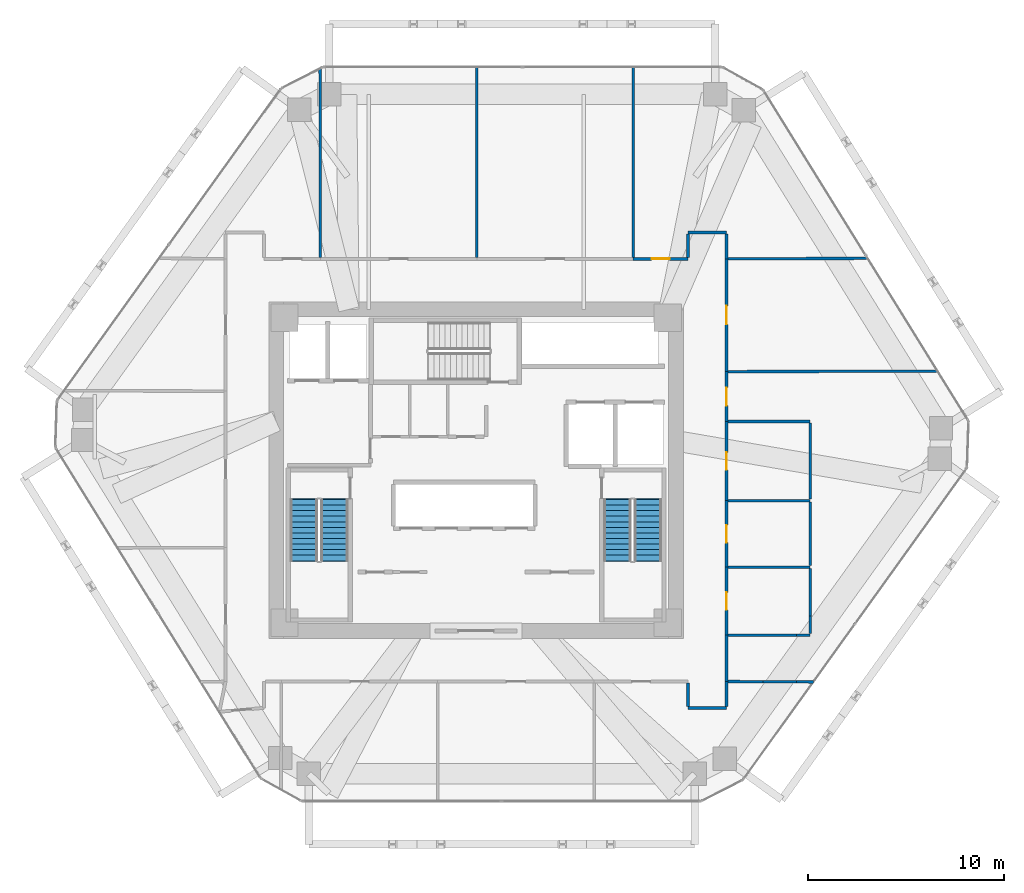
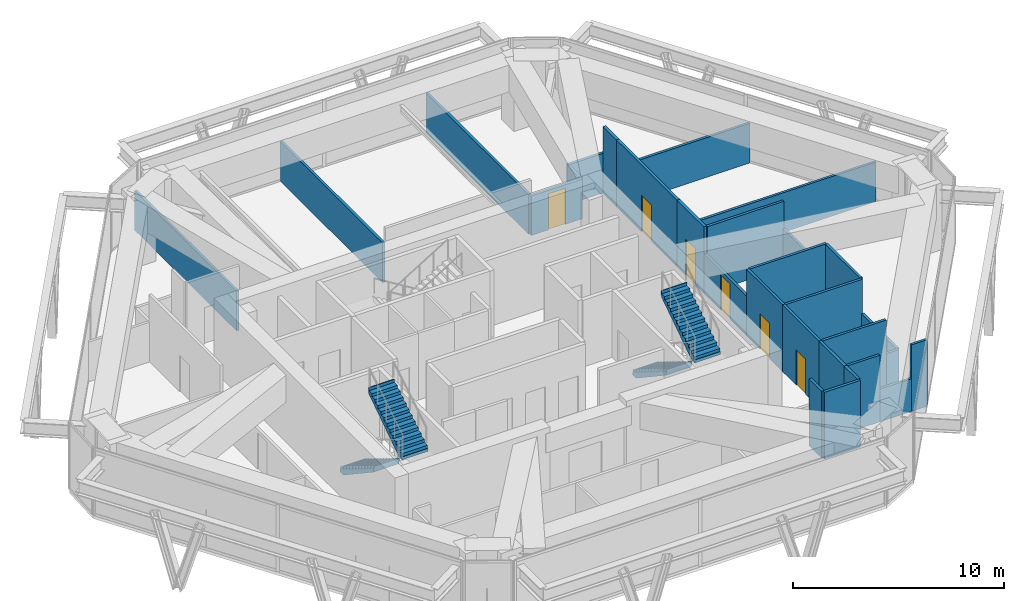
# One storey, part 12 of 14: 30 walls, 6 doors, 4 stair flights, 6 openings, 2 elements without a shape of their own.
"""IFC4 building model written with IfcOpenShell, lengths in metres."""

from ifc_helpers import new_model, si_unit, direction, frame, frame_2d, origin, place, context, subcontext, project, spatial, polyline, rectangle, outline, extrude, source, transform, mapped, material, layer, layer_set, type_object, type_shapes, element, fill, aggregate, save


model = new_model("IFC4")

# Units and contexts
model_context = context("Model", 3, precision=1e-05, world=origin(), true_north=direction((0.0, 1.0)))
body_context = subcontext(model_context, "Body", "Model", "MODEL_VIEW")
ifc_project = project(units=[si_unit("LENGTHUNIT", "METRE"), si_unit("AREAUNIT", "SQUARE_METRE"), si_unit("VOLUMEUNIT", "CUBIC_METRE"), si_unit("PLANEANGLEUNIT", "RADIAN"), si_unit("MASSUNIT", "GRAM", prefix="KILO")], contexts=[model_context])

# Site, building, storey
site_placement = place(None, origin())
site = spatial("IfcSite", under=ifc_project, at=site_placement, CompositionType="ELEMENT")
building_placement = place(site_placement, origin())
building = spatial("IfcBuilding", under=site, at=building_placement, Name="Durnholm Broadcast Tower", CompositionType="ELEMENT")
storey_placement = place(building_placement, frame((0.0, 0.0, 146.10009765625)))
storey = spatial("IfcBuildingStorey", under=building, at=storey_placement, Name="L40", CompositionType="ELEMENT", Elevation=146.10009765625)

# Walls
ifc_material_1 = material(Name="Gypsum Metal Stud Partition", Category="concrete")
ifc_layer_1 = layer(ifc_material_1, 0.135009765625)
ifc_layer_set_1 = layer_set([ifc_layer_1], Name="Gypsum Metal Stud Partition")
wall_type_1 = type_object("IfcWallType", Name="WALL-PART-135", PredefinedType="PARTITIONING", material=ifc_layer_set_1)
wall_1_placement = place(storey_placement, frame((-7.978271484375, 20.542236328125, 0.0), z_axis=(0.0, 0.0, 1.0), x_axis=(0.001871519231, -0.999998248706, 0.0)))
element("IfcWall", 1, at=wall_1_placement, inside=storey, type_object=wall_type_1, Name="L40 room dividing partition 10.11", PredefinedType="PARTITIONING", context=body_context, shape_type="SweptSolid", body=[
    extrude(rectangle(XDim=9.6533203125, YDim=0.135009765625, at=frame_2d((4.82666015625, 0.0))), origin(), (0.0, 0.0, 1.0), 2.2998046875),
])
for number, where, z_axis, x_axis, name in (
    (2, (0.0400390625, 20.614990234375, 0.0), (0.0, 0.0, 1.0), (0.0, -1.0, 0.0), "L40 room dividing partition 11.12"),
    (3, (8.0400390625, 20.614990234375, 0.0), (0.0, 0.0, 1.0), (0.0, -1.0, 0.0), "L40 room dividing partition 12.13"),
):
    element("IfcWall", number, at=place(storey_placement, frame(where, z_axis=z_axis, x_axis=x_axis)), inside=storey, type_object=wall_type_1, Name=name, PredefinedType="PARTITIONING", context=body_context, shape_type="SweptSolid", body=[
        extrude(rectangle(XDim=9.72607421875, YDim=0.135009765625, at=frame_2d((4.863037109375, 0.0))), origin(), (0.0, 0.0, 1.0), 2.2998046875),
    ])
wall_2_placement = place(storey_placement, frame((20.03515625, 10.8310546875, 0.0), z_axis=(0.0, 0.0, 1.0), x_axis=(-0.999995783715, -0.002903885812, 0.0)))
element("IfcWall", 4, at=wall_2_placement, inside=storey, type_object=wall_type_1, Name="L40 room dividing partition 13.22", PredefinedType="PARTITIONING", context=body_context, shape_type="SweptSolid", body=[
    extrude(rectangle(XDim=7.146240234375, YDim=0.135009765625, at=frame_2d((3.5732421875, 0.0))), origin(), (0.0, 0.0, 1.0), 2.2998046875),
])
wall_3_placement = place(storey_placement, frame((12.888916015625, -10.810302734375, 0.0), z_axis=(0.0, 0.0, 1.0), x_axis=(0.999985737151, -0.005340926287, 0.0)))
element("IfcWall", 5, at=wall_3_placement, inside=storey, type_object=wall_type_1, Name="L40 room dividing partition 17.21", PredefinedType="PARTITIONING", context=body_context, shape_type="SweptSolid", body=[
    extrude(rectangle(XDim=1.78271484375, YDim=0.135009765625, at=frame_2d((0.891357421875, 0.0))), origin(), (0.0, 0.0, 1.0), 3.864990234375),
])
wall_4_placement = place(storey_placement, frame((16.388916015625, -10.828857421875, 0.0), z_axis=(0.0, 0.0, 1.0), x_axis=(0.999986910748, -0.005116476519, 0.0)))
element("IfcWall", 6, at=wall_4_placement, inside=storey, type_object=wall_type_1, Name="L40 room dividing partition 17.21", PredefinedType="PARTITIONING", context=body_context, shape_type="SweptSolid", body=[
    extrude(rectangle(XDim=0.85888671875, YDim=0.135009765625, at=frame_2d((0.429443359375, 0.0))), origin(), (0.0, 0.0, 1.0), 3.864990234375),
])
wall_5_placement = place(storey_placement, frame((14.671630859375, -10.81982421875, 0.0), z_axis=(0.0, 0.0, 1.0), x_axis=(0.99998616562, -0.005260092142, 0.0)))
element("IfcWall", 7, at=wall_5_placement, inside=storey, type_object=wall_type_1, Name="L40 room dividing partition 17.21", PredefinedType="PARTITIONING", context=body_context, shape_type="SweptSolid", body=[
    extrude(rectangle(XDim=1.71728515625, YDim=0.135009765625, at=frame_2d((0.858642578125, 0.0))), origin(), (0.0, 0.0, 1.0), 1.89990234375),
])
wall_6_placement = place(storey_placement, frame((12.888916015625, 5.040283203125, 0.0), z_axis=(0.0, 0.0, 1.0), x_axis=(0.999998128178, 0.00193484876, 0.0)))
element("IfcWall", 8, at=wall_6_placement, inside=storey, type_object=wall_type_1, Name="L40 room dividing partition 21.22", PredefinedType="PARTITIONING", context=body_context, shape_type="SweptSolid", body=[
    extrude(rectangle(XDim=10.725341796875, YDim=0.135009765625, at=frame_2d((5.36279296875, 0.0))), origin(), (0.0, 0.0, 1.0), 2.2998046875),
])

# Wall, opening, door
ifc_material_2 = material(Name="Acoustic Gypsum Stud Partition", Category="concrete")
ifc_layer_2 = layer(ifc_material_2, 0.14990234375)
ifc_layer_set_2 = layer_set([ifc_layer_2], Name="Acoustic Gypsum Stud Partition")
wall_type_2 = type_object("IfcWallType", Name="WALL-PART-150", PredefinedType="PARTITIONING", material=ifc_layer_set_2)
wall_7_placement = place(storey_placement, frame((10.840087890625, 10.81005859375, 0.0), z_axis=(0.0, 0.0, 1.0), x_axis=(-1.0, 0.0, 0.0)))
wall_7 = element("IfcWall", 9, at=wall_7_placement, inside=storey, type_object=wall_type_2, Name="L40 Open Plan Broadcast Workspace 5 corridor partition", PredefinedType="PARTITIONING", context=body_context, shape_type="SweptSolid", body=[
    extrude(rectangle(XDim=2.800048828125, YDim=0.14990234375, at=frame_2d((1.39990234375, 0.0))), origin(), (0.0, 0.0, 1.0), 2.2998046875),
])
opening_1_placement = place(wall_7_placement, frame((0.93994140625, 0.0, 0.0)))
opening_1 = element("IfcOpeningElement", 10, at=opening_1_placement, cuts=wall_7, Name="Opening DR-92R", PredefinedType="OPENING", context=body_context, shape_type="SweptSolid", body=[
    extrude(rectangle(XDim=0.919921875, YDim=2.10009765625, at=frame_2d((0.4599609375, 1.050048828125))), frame((0.0, 0.0849609375, 0.0), z_axis=(0.0, -1.0, 0.0), x_axis=(1.0, 0.0, 0.0)), (0.0, 0.0, 1.0), 0.169921875),
])
ifc_material_3 = material(Name="Oak Veneer Office Door", Category="wood")
ifc_layer_3 = layer(ifc_material_3, 0.050048828125)
ifc_layer_set_3 = layer_set([ifc_layer_3], Name="Oak Veneer Office Door")
door_type_1 = type_object("IfcDoorType", Name="DOOR-RM-920R", OperationType="NOTDEFINED", PredefinedType="DOOR", material=ifc_layer_set_3)
shared_shape_1 = source(origin(), body_context, "Body", "SweptSolid", [
    extrude(rectangle(XDim=0.919921875, YDim=2.10009765625, at=frame_2d((0.4599609375, 1.050048828125))), frame((0.0, 0.02490234375, 0.0), z_axis=(0.0, -1.0, 0.0), x_axis=(1.0, 0.0, 0.0)), (0.0, 0.0, 1.0), 0.050048828125),
])
type_shapes(door_type_1, [shared_shape_1])
door_1_placement = place(opening_1_placement, origin())
door_1 = element("IfcDoor", 11, at=door_1_placement, inside=storey, type_object=door_type_1, Name="L40 Open Plan Broadcast Workspace 5 entrance door", OperationType="SINGLE_SWING_RIGHT", OverallHeight=2.10009765625, OverallWidth=0.919921875, PredefinedType="DOOR", context=body_context, shape_type="MappedRepresentation", body=[
    mapped(shared_shape_1, transform((0.0, 0.0, 0.0), x_axis=(1.0, 0.0, 0.0), y_axis=(0.0, 1.0, 0.0), z_axis=(0.0, 0.0, 1.0), scale=1.0)),
])
fill(opening_1, door_1)

# Walls
wall_8_placement = place(storey_placement, frame((12.81005859375, 12.159912109375, 0.0), z_axis=(0.0, 0.0, 1.0), x_axis=(-1.0, 0.0, 0.0)))
element("IfcWall", 12, at=wall_8_placement, inside=storey, type_object=wall_type_2, Name="L40 Open Plan Broadcast Workspace 5 corridor partition", PredefinedType="PARTITIONING", context=body_context, shape_type="SweptSolid", body=[
    extrude(rectangle(XDim=1.969970703125, YDim=0.14990234375, at=frame_2d((0.98486328125, 0.0))), origin(), (0.0, 0.0, 1.0), 2.2998046875),
])
wall_9_placement = place(storey_placement, frame((12.81005859375, 10.81005859375, 0.0), z_axis=(0.0, 0.0, 1.0), x_axis=(0.0, 1.0, 0.0)))
element("IfcWall", 13, at=wall_9_placement, inside=storey, type_object=wall_type_2, Name="L40 Open Plan Broadcast Workspace 5 corridor partition", PredefinedType="PARTITIONING", context=body_context, shape_type="SweptSolid", body=[
    extrude(rectangle(XDim=1.27099609375, YDim=0.14990234375, at=frame_2d((0.635498046875, 0.0))), origin(), (0.0, 0.0, 1.0), 3.864990234375),
])
wall_10_placement = place(storey_placement, frame((10.840087890625, 12.0810546875, 0.0), z_axis=(0.0, 0.0, 1.0), x_axis=(0.0, -1.0, 0.0)))
element("IfcWall", 14, at=wall_10_placement, inside=storey, type_object=wall_type_2, Name="L40 Open Plan Broadcast Workspace 5 corridor partition", PredefinedType="PARTITIONING", context=body_context, shape_type="SweptSolid", body=[
    extrude(rectangle(XDim=1.192138671875, YDim=0.14990234375, at=frame_2d((0.59619140625, 0.0))), origin(), (0.0, 0.0, 1.0), 2.2998046875),
])
wall_11_placement = place(storey_placement, frame((10.840087890625, -12.159912109375, 0.0), z_axis=(0.0, 0.0, 1.0), x_axis=(1.0, 0.0, 0.0)))
element("IfcWall", 15, at=wall_11_placement, inside=storey, type_object=wall_type_2, Name="L40 Open Plan Broadcast Workspace 3 corridor partition", PredefinedType="PARTITIONING", context=body_context, shape_type="SweptSolid", body=[
    extrude(rectangle(XDim=1.969970703125, YDim=0.14990234375, at=frame_2d((0.98486328125, 0.0))), origin(), (0.0, 0.0, 1.0), 3.864990234375),
])
wall_12_placement = place(storey_placement, frame((10.840087890625, -10.888916015625, 0.0), z_axis=(0.0, 0.0, 1.0), x_axis=(0.0, -1.0, 0.0)))
element("IfcWall", 16, at=wall_12_placement, inside=storey, type_object=wall_type_2, Name="L40 Open Plan Broadcast Workspace 3 corridor partition", PredefinedType="PARTITIONING", context=body_context, shape_type="SweptSolid", body=[
    extrude(rectangle(XDim=1.192138671875, YDim=0.14990234375, at=frame_2d((0.59619140625, 0.0))), origin(), (0.0, 0.0, 1.0), 3.864990234375),
])
wall_13_placement = place(storey_placement, frame((12.81005859375, -12.0810546875, 0.0), z_axis=(0.0, 0.0, 1.0), x_axis=(0.0, 1.0, 0.0)))
element("IfcWall", 17, at=wall_13_placement, inside=storey, type_object=wall_type_2, Name="L40 Open Plan Broadcast Workspace 3 corridor partition", PredefinedType="PARTITIONING", context=body_context, shape_type="SweptSolid", body=[
    extrude(rectangle(XDim=1.27099609375, YDim=0.14990234375, at=frame_2d((0.635498046875, 0.0))), origin(), (0.0, 0.0, 1.0), 3.864990234375),
])

# Wall, opening, door
wall_14_placement = place(storey_placement, frame((12.81005859375, 2.489990234375, 0.0), z_axis=(0.0, 0.0, 1.0), x_axis=(0.0, 1.0, 0.0)))
wall_14 = element("IfcWall", 18, at=wall_14_placement, inside=storey, type_object=wall_type_2, Name="L40 Open Plan Broadcast Workspace 1 corridor partition", PredefinedType="PARTITIONING", context=body_context, shape_type="SweptSolid", body=[
    extrude(rectangle(XDim=2.550048828125, YDim=0.14990234375, at=frame_2d((1.27490234375, 0.0))), origin(), (0.0, 0.0, 1.0), 3.864990234375),
])
opening_2_placement = place(wall_14_placement, frame((0.81494140625, 0.0, 0.0)))
opening_2 = element("IfcOpeningElement", 19, at=opening_2_placement, cuts=wall_14, Name="Opening DR-92R", PredefinedType="OPENING", context=body_context, shape_type="SweptSolid", body=[
    extrude(rectangle(XDim=0.919921875, YDim=2.10009765625, at=frame_2d((0.4599609375, 1.050048828125))), frame((0.0, 0.0849609375, 0.0), z_axis=(0.0, -1.0, 0.0), x_axis=(1.0, 0.0, 0.0)), (0.0, 0.0, 1.0), 0.169921875),
])
door_2_placement = place(opening_2_placement, origin())
door_2 = element("IfcDoor", 20, at=door_2_placement, inside=storey, type_object=door_type_1, Name="L40 Open Plan Broadcast Workspace 1 entrance door", OperationType="SINGLE_SWING_RIGHT", OverallHeight=2.10009765625, OverallWidth=0.919921875, PredefinedType="DOOR", context=body_context, shape_type="MappedRepresentation", body=[
    mapped(shared_shape_1, transform((0.0, 0.0, 0.0), x_axis=(1.0, 0.0, 0.0), y_axis=(0.0, 1.0, 0.0), z_axis=(0.0, 0.0, 1.0), scale=1.0)),
])
fill(opening_2, door_2)

# Wall
wall_15_placement = place(storey_placement, frame((12.81005859375, -10.81005859375, 0.0), z_axis=(0.0, 0.0, 1.0), x_axis=(0.0, 1.0, 0.0)))
element("IfcWall", 21, at=wall_15_placement, inside=storey, type_object=wall_type_2, Name="L40 Open Plan Broadcast Workspace 1 corridor partition", PredefinedType="PARTITIONING", context=body_context, shape_type="SweptSolid", body=[
    extrude(rectangle(XDim=2.3701171875, YDim=0.14990234375, at=frame_2d((1.18505859375, 0.0))), origin(), (0.0, 0.0, 1.0), 3.864990234375),
])

# Wall, opening, door
wall_16_placement = place(storey_placement, frame((12.81005859375, 5.0400390625, 0.0), z_axis=(0.0, 0.0, 1.0), x_axis=(0.0, 1.0, 0.0)))
wall_16 = element("IfcWall", 22, at=wall_16_placement, inside=storey, type_object=wall_type_2, Name="L40 IP Counsel Office corridor partition", PredefinedType="PARTITIONING", context=body_context, shape_type="SweptSolid", body=[
    extrude(rectangle(XDim=5.77001953125, YDim=0.14990234375, at=frame_2d((2.885009765625, 0.0))), origin(), (0.0, 0.0, 1.0), 3.864990234375),
])
opening_3_placement = place(wall_16_placement, frame((2.409912109375, 0.0, 0.0)))
opening_3 = element("IfcOpeningElement", 23, at=opening_3_placement, cuts=wall_16, Name="Opening DR-95L", PredefinedType="OPENING", context=body_context, shape_type="SweptSolid", body=[
    extrude(rectangle(XDim=0.949951171875, YDim=2.10009765625, at=frame_2d((0.47509765625, 1.050048828125))), frame((0.0, 0.0849609375, 0.0), z_axis=(0.0, -1.0, 0.0), x_axis=(1.0, 0.0, 0.0)), (0.0, 0.0, 1.0), 0.169921875),
])
ifc_material_4 = material(Name="Acoustic Oak Veneer Timber Door", Category="wood")
ifc_layer_4 = layer(ifc_material_4, 0.050048828125)
ifc_layer_set_4 = layer_set([ifc_layer_4], Name="Acoustic Oak Veneer Timber Door")
door_type_2 = type_object("IfcDoorType", Name="DOOR-RM-950L", OperationType="NOTDEFINED", PredefinedType="DOOR", material=ifc_layer_set_4)
shared_shape_2 = source(origin(), body_context, "Body", "SweptSolid", [
    extrude(rectangle(XDim=0.949951171875, YDim=2.10009765625, at=frame_2d((0.47509765625, 1.050048828125))), frame((0.0, 0.02490234375, 0.0), z_axis=(0.0, -1.0, 0.0), x_axis=(1.0, 0.0, 0.0)), (0.0, 0.0, 1.0), 0.050048828125),
])
type_shapes(door_type_2, [shared_shape_2])
door_3_placement = place(opening_3_placement, origin())
door_3 = element("IfcDoor", 24, at=door_3_placement, inside=storey, type_object=door_type_2, Name="L40 IP Counsel Office entrance door", OperationType="SINGLE_SWING_LEFT", OverallHeight=2.10009765625, OverallWidth=0.949951171875, PredefinedType="DOOR", context=body_context, shape_type="MappedRepresentation", body=[
    mapped(shared_shape_2, transform((0.0, 0.0, 0.0), x_axis=(1.0, 0.0, 0.0), y_axis=(0.0, 1.0, 0.0), z_axis=(0.0, 0.0, 1.0), scale=1.0)),
])
fill(opening_3, door_3)

ifc_material_5 = material(Name="Moisture-Resistant Tile Partition", Category="concrete")
ifc_layer_5 = layer(ifc_material_5, 0.139892578125)
ifc_layer_set_5 = layer_set([ifc_layer_5], Name="Moisture-Resistant Tile Partition")
wall_type_3 = type_object("IfcWallType", Name="WALL-WC-140", PredefinedType="PARTITIONING", material=ifc_layer_set_5)
wall_17_placement = place(storey_placement, frame((12.81005859375, -8.43994140625, 0.0), z_axis=(0.0, 0.0, 1.0), x_axis=(0.0, 1.0, 0.0)))
wall_17 = element("IfcWall", 25, at=wall_17_placement, inside=storey, type_object=wall_type_3, Name="L40 Men's Restroom corridor partition", PredefinedType="PARTITIONING", context=body_context, shape_type="SweptSolid", body=[
    extrude(rectangle(XDim=3.47998046875, YDim=0.139892578125, at=frame_2d((1.739990234375, 0.0))), origin(), (0.0, 0.0, 1.0), 3.864990234375),
])
opening_4_placement = place(wall_17_placement, frame((1.2900390625, 0.0, 0.0)))
opening_4 = element("IfcOpeningElement", 26, at=opening_4_placement, cuts=wall_17, Name="Opening DW-90R", PredefinedType="OPENING", context=body_context, shape_type="SweptSolid", body=[
    extrude(rectangle(XDim=0.89990234375, YDim=2.050048828125, at=frame_2d((0.449951171875, 1.02490234375))), frame((0.0, 0.080078125, 0.0), z_axis=(0.0, -1.0, 0.0), x_axis=(1.0, 0.0, 0.0)), (0.0, 0.0, 1.0), 0.159912109375),
])
ifc_material_6 = material(Name="Laminate Restroom Door", Category="steel")
ifc_layer_6 = layer(ifc_material_6, 0.050048828125)
ifc_layer_set_6 = layer_set([ifc_layer_6], Name="Laminate Restroom Door")
door_type_3 = type_object("IfcDoorType", Name="DOOR-WC-900R", OperationType="NOTDEFINED", PredefinedType="DOOR", material=ifc_layer_set_6)
shared_shape_3 = source(origin(), body_context, "Body", "SweptSolid", [
    extrude(rectangle(XDim=0.89990234375, YDim=2.050048828125, at=frame_2d((0.449951171875, 1.02490234375))), frame((0.0, 0.02490234375, 0.0), z_axis=(0.0, -1.0, 0.0), x_axis=(1.0, 0.0, 0.0)), (0.0, 0.0, 1.0), 0.050048828125),
])
type_shapes(door_type_3, [shared_shape_3])
door_4_placement = place(opening_4_placement, origin())
door_4 = element("IfcDoor", 27, at=door_4_placement, inside=storey, type_object=door_type_3, Name="L40 Men's Restroom entrance door", OperationType="SINGLE_SWING_RIGHT", OverallHeight=2.050048828125, OverallWidth=0.89990234375, PredefinedType="DOOR", context=body_context, shape_type="MappedRepresentation", body=[
    mapped(shared_shape_3, transform((0.0, 0.0, 0.0), x_axis=(1.0, 0.0, 0.0), y_axis=(0.0, 1.0, 0.0), z_axis=(0.0, 0.0, 1.0), scale=1.0)),
])
fill(opening_4, door_4)

wall_18_placement = place(storey_placement, frame((12.81005859375, -4.9599609375, 0.0), z_axis=(0.0, 0.0, 1.0), x_axis=(0.0, 1.0, 0.0)))
wall_18 = element("IfcWall", 28, at=wall_18_placement, inside=storey, type_object=wall_type_3, Name="L40 Women's Restroom corridor partition", PredefinedType="PARTITIONING", context=body_context, shape_type="SweptSolid", body=[
    extrude(rectangle(XDim=3.39990234375, YDim=0.139892578125, at=frame_2d((1.699951171875, 0.0))), origin(), (0.0, 0.0, 1.0), 3.864990234375),
])
opening_5_placement = place(wall_18_placement, frame((1.25, 0.0, 0.0)))
opening_5 = element("IfcOpeningElement", 29, at=opening_5_placement, cuts=wall_18, Name="Opening DW-90L", PredefinedType="OPENING", context=body_context, shape_type="SweptSolid", body=[
    extrude(rectangle(XDim=0.89990234375, YDim=2.050048828125, at=frame_2d((0.449951171875, 1.02490234375))), frame((0.0, 0.080078125, 0.0), z_axis=(0.0, -1.0, 0.0), x_axis=(1.0, 0.0, 0.0)), (0.0, 0.0, 1.0), 0.159912109375),
])
ifc_layer_7 = layer(ifc_material_6, 0.050048828125)
ifc_layer_set_7 = layer_set([ifc_layer_7], Name="Laminate Restroom Door")
door_type_4 = type_object("IfcDoorType", Name="DOOR-WC-900L", OperationType="NOTDEFINED", PredefinedType="DOOR", material=ifc_layer_set_7)
shared_shape_4 = source(origin(), body_context, "Body", "SweptSolid", [
    extrude(rectangle(XDim=0.89990234375, YDim=2.050048828125, at=frame_2d((0.449951171875, 1.02490234375))), frame((0.0, 0.02490234375, 0.0), z_axis=(0.0, -1.0, 0.0), x_axis=(1.0, 0.0, 0.0)), (0.0, 0.0, 1.0), 0.050048828125),
])
type_shapes(door_type_4, [shared_shape_4])
door_5_placement = place(opening_5_placement, origin())
door_5 = element("IfcDoor", 30, at=door_5_placement, inside=storey, type_object=door_type_4, Name="L40 Women's Restroom entrance door", OperationType="SINGLE_SWING_LEFT", OverallHeight=2.050048828125, OverallWidth=0.89990234375, PredefinedType="DOOR", context=body_context, shape_type="MappedRepresentation", body=[
    mapped(shared_shape_4, transform((0.0, 0.0, 0.0), x_axis=(1.0, 0.0, 0.0), y_axis=(0.0, 1.0, 0.0), z_axis=(0.0, 0.0, 1.0), scale=1.0)),
])
fill(opening_5, door_5)

wall_19_placement = place(storey_placement, frame((12.81005859375, -1.56005859375, 0.0), z_axis=(0.0, 0.0, 1.0), x_axis=(0.0, 1.0, 0.0)))
wall_19 = element("IfcWall", 31, at=wall_19_placement, inside=storey, type_object=wall_type_3, Name="L40 Accessible Restroom corridor partition", PredefinedType="PARTITIONING", context=body_context, shape_type="SweptSolid", body=[
    extrude(rectangle(XDim=4.050048828125, YDim=0.139892578125, at=frame_2d((2.02490234375, 0.0))), origin(), (0.0, 0.0, 1.0), 2.2998046875),
])
opening_6_placement = place(wall_19_placement, frame((1.574951171875, 0.0, 0.0)))
opening_6 = element("IfcOpeningElement", 32, at=opening_6_placement, cuts=wall_19, Name="Opening DW-90R", PredefinedType="OPENING", context=body_context, shape_type="SweptSolid", body=[
    extrude(rectangle(XDim=0.89990234375, YDim=2.050048828125, at=frame_2d((0.449951171875, 1.02490234375))), frame((0.0, 0.080078125, 0.0), z_axis=(0.0, -1.0, 0.0), x_axis=(1.0, 0.0, 0.0)), (0.0, 0.0, 1.0), 0.159912109375),
])
door_6_placement = place(opening_6_placement, origin())
door_6 = element("IfcDoor", 33, at=door_6_placement, inside=storey, type_object=door_type_3, Name="L40 Accessible Restroom entrance door", OperationType="SINGLE_SWING_RIGHT", OverallHeight=2.050048828125, OverallWidth=0.89990234375, PredefinedType="DOOR", context=body_context, shape_type="MappedRepresentation", body=[
    mapped(shared_shape_3, transform((0.0, 0.0, 0.0), x_axis=(1.0, 0.0, 0.0), y_axis=(0.0, 1.0, 0.0), z_axis=(0.0, 0.0, 1.0), scale=1.0)),
])
fill(opening_6, door_6)

# Walls
wall_20_placement = place(storey_placement, frame((12.884033203125, -4.9599609375, 0.0), z_axis=(0.0, 0.0, 1.0), x_axis=(1.0, 0.0, 0.0)))
element("IfcWall", 34, at=wall_20_placement, inside=storey, type_object=wall_type_3, Name="L40 room dividing partition 7.8", PredefinedType="PARTITIONING", context=body_context, shape_type="SweptSolid", body=[
    extrude(rectangle(XDim=4.2060546875, YDim=0.139892578125, at=frame_2d((2.10302734375, 0.0))), origin(), (0.0, 0.0, 1.0), 3.864990234375),
])
wall_21_placement = place(storey_placement, frame((16.38134765625, -8.43994140625, 0.0), z_axis=(0.0, 0.0, 1.0), x_axis=(-1.0, 0.0, 0.0)))
element("IfcWall", 35, at=wall_21_placement, inside=storey, type_object=wall_type_3, Name="L40 room dividing partition 7.21", PredefinedType="PARTITIONING", context=body_context, shape_type="SweptSolid", body=[
    extrude(rectangle(XDim=3.492431640625, YDim=0.139892578125, at=frame_2d((1.74609375, 0.0))), origin(), (0.0, 0.0, 1.0), 3.864990234375),
])
wall_22_placement = place(storey_placement, frame((17.090087890625, -8.43994140625, 0.0), z_axis=(0.0, 0.0, 1.0), x_axis=(-1.0, 0.0, 0.0)))
element("IfcWall", 36, at=wall_22_placement, inside=storey, type_object=wall_type_3, Name="L40 room dividing partition 7.21", PredefinedType="PARTITIONING", context=body_context, shape_type="SweptSolid", body=[
    extrude(rectangle(XDim=0.708740234375, YDim=0.139892578125, at=frame_2d((0.3544921875, 0.0))), origin(), (0.0, 0.0, 1.0), 1.89990234375),
])
wall_23_placement = place(storey_placement, frame((17.090087890625, -5.033935546875, 0.0), z_axis=(0.0, 0.0, 1.0), x_axis=(0.0, -1.0, 0.0)))
element("IfcWall", 37, at=wall_23_placement, inside=storey, type_object=wall_type_3, Name="L40 room dividing partition 7.21", PredefinedType="PARTITIONING", context=body_context, shape_type="SweptSolid", body=[
    extrude(rectangle(XDim=2.419677734375, YDim=0.139892578125, at=frame_2d((1.2099609375, 0.0))), origin(), (0.0, 0.0, 1.0), 1.89990234375),
])
wall_24_placement = place(storey_placement, frame((17.090087890625, -7.45361328125, 0.0), z_axis=(0.0, 0.0, 1.0), x_axis=(0.0, -1.0, 0.0)))
element("IfcWall", 38, at=wall_24_placement, inside=storey, type_object=wall_type_3, Name="L40 room dividing partition 7.21", PredefinedType="PARTITIONING", context=body_context, shape_type="SweptSolid", body=[
    extrude(rectangle(XDim=0.912353515625, YDim=0.139892578125, at=frame_2d((0.4560546875, 0.0))), origin(), (0.0, 0.0, 1.0), 1.89990234375),
])
wall_25_placement = place(storey_placement, frame((12.884033203125, -1.56005859375, 0.0), z_axis=(0.0, 0.0, 1.0), x_axis=(1.0, 0.0, 0.0)))
element("IfcWall", 39, at=wall_25_placement, inside=storey, type_object=wall_type_3, Name="L40 room dividing partition 8.9", PredefinedType="PARTITIONING", context=body_context, shape_type="SweptSolid", body=[
    extrude(rectangle(XDim=4.2060546875, YDim=0.139892578125, at=frame_2d((2.10302734375, 0.0))), origin(), (0.0, 0.0, 1.0), 3.864990234375),
])
wall_26_placement = place(storey_placement, frame((17.090087890625, -1.634033203125, 0.0), z_axis=(0.0, 0.0, 1.0), x_axis=(0.0, -1.0, 0.0)))
element("IfcWall", 40, at=wall_26_placement, inside=storey, type_object=wall_type_3, Name="L40 room dividing partition 8.21", PredefinedType="PARTITIONING", context=body_context, shape_type="SweptSolid", body=[
    extrude(rectangle(XDim=3.251953125, YDim=0.139892578125, at=frame_2d((1.6259765625, 0.0))), origin(), (0.0, 0.0, 1.0), 3.864990234375),
])
wall_27_placement = place(storey_placement, frame((12.888916015625, 2.489990234375, 0.0), z_axis=(0.0, 0.0, 1.0), x_axis=(1.0, 0.0, 0.0)))
element("IfcWall", 41, at=wall_27_placement, inside=storey, type_object=wall_type_3, Name="L40 room dividing partition 9.21", PredefinedType="PARTITIONING", context=body_context, shape_type="SweptSolid", body=[
    extrude(rectangle(XDim=4.201171875, YDim=0.139892578125, at=frame_2d((2.1005859375, 0.0))), origin(), (0.0, 0.0, 1.0), 3.864990234375),
])
wall_28_placement = place(storey_placement, frame((17.090087890625, 2.416015625, 0.0), z_axis=(0.0, 0.0, 1.0), x_axis=(0.0, -1.0, 0.0)))
element("IfcWall", 42, at=wall_28_placement, inside=storey, type_object=wall_type_3, Name="L40 room dividing partition 9.21", PredefinedType="PARTITIONING", context=body_context, shape_type="SweptSolid", body=[
    extrude(rectangle(XDim=3.902099609375, YDim=0.139892578125, at=frame_2d((1.951171875, 0.0))), origin(), (0.0, 0.0, 1.0), 2.2998046875),
])

# Stair, stair flights
ifc_material_7 = material(Name="Concrete C50/60", Category="concrete")
stair_type = type_object("IfcStairType", Name="STAIR-DL-24R1750", PredefinedType="HALF_TURN_STAIR", material=ifc_material_7)
stair_1_placement = place(storey_placement, origin())
stair_1 = element("IfcStair", 43, at=stair_1_placement, inside=storey, type_object=stair_type, Name="L40 ST-1", PredefinedType="HALF_TURN_STAIR")
stair_flight_type = type_object("IfcStairFlightType", Name="FLIGHT-DL-24R1750", PredefinedType="STRAIGHT", material=ifc_material_7)
stair_flight_1_placement = place(storey_placement, frame((-8.800048828125, -1.5, 0.0), z_axis=(0.0, 0.0, 1.0), x_axis=(0.0, -1.0, 0.0)))
stair_flight_1 = element("IfcStairFlight", 44, at=stair_flight_1_placement, type_object=stair_flight_type, Name="ST-1 flight 1", NumberOfRisers=12, NumberOfTreads=11, PredefinedType="STRAIGHT", RiserHeight=0.175, TreadLength=0.285, context=body_context, shape_type="SweptSolid", body=[
    extrude(outline(polyline([(-0.0400390625, -0.14990234375), (-0.0400390625, 0.0), (0.0, 0.0), (0.0, 0.175048828125), (0.284912109375, 0.175048828125), (0.284912109375, 0.35009765625), (0.570068359375, 0.35009765625), (0.570068359375, 0.52490234375), (0.85498046875, 0.52490234375), (0.85498046875, 0.699951171875), (1.139892578125, 0.699951171875), (1.139892578125, 0.875), (1.425048828125, 0.875), (1.425048828125, 1.050048828125), (1.7099609375, 1.050048828125), (1.7099609375, 1.22509765625), (1.9951171875, 1.22509765625), (1.9951171875, 1.39990234375), (2.280029296875, 1.39990234375), (2.280029296875, 1.574951171875), (2.56494140625, 1.574951171875), (2.56494140625, 1.75), (2.85009765625, 1.75), (2.85009765625, 1.925048828125), (3.135009765625, 1.925048828125), (3.135009765625, 2.10009765625), (3.175048828125, 2.10009765625), (3.175048828125, 1.9501953125), (3.135009765625, 1.7490234375), (0.286376953125, -0.14990234375), (-0.0400390625, -0.14990234375)])), frame((0.0, 0.699951171875, 0.0), z_axis=(0.0, -1.0, 0.0), x_axis=(1.0, 0.0, 0.0)), (0.0, 0.0, 1.0), 1.39990234375),
])
stair_flight_2_placement = place(storey_placement, frame((-7.239990234375, -4.635009765625, 2.099853515625), z_axis=(0.0, 0.0, 1.0), x_axis=(0.0, 1.0, 0.0)))
stair_flight_2 = element("IfcStairFlight", 45, at=stair_flight_2_placement, type_object=stair_flight_type, Name="ST-1 flight 2", NumberOfRisers=12, NumberOfTreads=11, PredefinedType="STRAIGHT", RiserHeight=0.175, TreadLength=0.285, context=body_context, shape_type="SweptSolid", body=[
    extrude(outline(polyline([(-0.0400390625, -0.14990234375), (-0.0400390625, 0.0), (0.0, 0.0), (0.0, 0.175048828125), (0.284912109375, 0.175048828125), (0.284912109375, 0.35009765625), (0.570068359375, 0.35009765625), (0.570068359375, 0.52490234375), (0.85498046875, 0.52490234375), (0.85498046875, 0.699951171875), (1.139892578125, 0.699951171875), (1.139892578125, 0.875), (1.425048828125, 0.875), (1.425048828125, 1.050048828125), (1.7099609375, 1.050048828125), (1.7099609375, 1.22509765625), (1.9951171875, 1.22509765625), (1.9951171875, 1.39990234375), (2.280029296875, 1.39990234375), (2.280029296875, 1.574951171875), (2.56494140625, 1.574951171875), (2.56494140625, 1.75), (2.85009765625, 1.75), (2.85009765625, 1.925048828125), (3.135009765625, 1.925048828125), (3.135009765625, 2.10009765625), (3.175048828125, 2.10009765625), (3.175048828125, 1.9501953125), (3.135009765625, 1.7490234375), (0.286376953125, -0.14990234375), (-0.0400390625, -0.14990234375)])), frame((0.0, 0.699951171875, 0.0), z_axis=(0.0, -1.0, 0.0), x_axis=(1.0, 0.0, 0.0)), (0.0, 0.0, 1.0), 1.39990234375),
])
aggregate(stair_1, [stair_flight_1, stair_flight_2])

stair_2_placement = place(storey_placement, origin())
stair_2 = element("IfcStair", 46, at=stair_2_placement, inside=storey, type_object=stair_type, Name="L40 ST-2", PredefinedType="HALF_TURN_STAIR")
stair_flight_3_placement = place(storey_placement, frame((7.239990234375, -1.5, 0.0), z_axis=(0.0, 0.0, 1.0), x_axis=(0.0, -1.0, 0.0)))
stair_flight_3 = element("IfcStairFlight", 47, at=stair_flight_3_placement, type_object=stair_flight_type, Name="ST-2 flight 1", NumberOfRisers=12, NumberOfTreads=11, PredefinedType="STRAIGHT", RiserHeight=0.175, TreadLength=0.285, context=body_context, shape_type="SweptSolid", body=[
    extrude(outline(polyline([(-0.0400390625, -0.14990234375), (-0.0400390625, 0.0), (0.0, 0.0), (0.0, 0.175048828125), (0.284912109375, 0.175048828125), (0.284912109375, 0.35009765625), (0.570068359375, 0.35009765625), (0.570068359375, 0.52490234375), (0.85498046875, 0.52490234375), (0.85498046875, 0.699951171875), (1.139892578125, 0.699951171875), (1.139892578125, 0.875), (1.425048828125, 0.875), (1.425048828125, 1.050048828125), (1.7099609375, 1.050048828125), (1.7099609375, 1.22509765625), (1.9951171875, 1.22509765625), (1.9951171875, 1.39990234375), (2.280029296875, 1.39990234375), (2.280029296875, 1.574951171875), (2.56494140625, 1.574951171875), (2.56494140625, 1.75), (2.85009765625, 1.75), (2.85009765625, 1.925048828125), (3.135009765625, 1.925048828125), (3.135009765625, 2.10009765625), (3.175048828125, 2.10009765625), (3.175048828125, 1.9501953125), (3.135009765625, 1.7490234375), (0.286376953125, -0.14990234375), (-0.0400390625, -0.14990234375)])), frame((0.0, 0.699951171875, 0.0), z_axis=(0.0, -1.0, 0.0), x_axis=(1.0, 0.0, 0.0)), (0.0, 0.0, 1.0), 1.39990234375),
])
stair_flight_4_placement = place(storey_placement, frame((8.800048828125, -4.635009765625, 2.099853515625), z_axis=(0.0, 0.0, 1.0), x_axis=(0.0, 1.0, 0.0)))
stair_flight_4 = element("IfcStairFlight", 48, at=stair_flight_4_placement, type_object=stair_flight_type, Name="ST-2 flight 2", NumberOfRisers=12, NumberOfTreads=11, PredefinedType="STRAIGHT", RiserHeight=0.175, TreadLength=0.285, context=body_context, shape_type="SweptSolid", body=[
    extrude(outline(polyline([(-0.0400390625, -0.14990234375), (-0.0400390625, 0.0), (0.0, 0.0), (0.0, 0.175048828125), (0.284912109375, 0.175048828125), (0.284912109375, 0.35009765625), (0.570068359375, 0.35009765625), (0.570068359375, 0.52490234375), (0.85498046875, 0.52490234375), (0.85498046875, 0.699951171875), (1.139892578125, 0.699951171875), (1.139892578125, 0.875), (1.425048828125, 0.875), (1.425048828125, 1.050048828125), (1.7099609375, 1.050048828125), (1.7099609375, 1.22509765625), (1.9951171875, 1.22509765625), (1.9951171875, 1.39990234375), (2.280029296875, 1.39990234375), (2.280029296875, 1.574951171875), (2.56494140625, 1.574951171875), (2.56494140625, 1.75), (2.85009765625, 1.75), (2.85009765625, 1.925048828125), (3.135009765625, 1.925048828125), (3.135009765625, 2.10009765625), (3.175048828125, 2.10009765625), (3.175048828125, 1.9501953125), (3.135009765625, 1.7490234375), (0.286376953125, -0.14990234375), (-0.0400390625, -0.14990234375)])), frame((0.0, 0.699951171875, 0.0), z_axis=(0.0, -1.0, 0.0), x_axis=(1.0, 0.0, 0.0)), (0.0, 0.0, 1.0), 1.39990234375),
])
aggregate(stair_2, [stair_flight_3, stair_flight_4])

save(model, "model.ifc")
